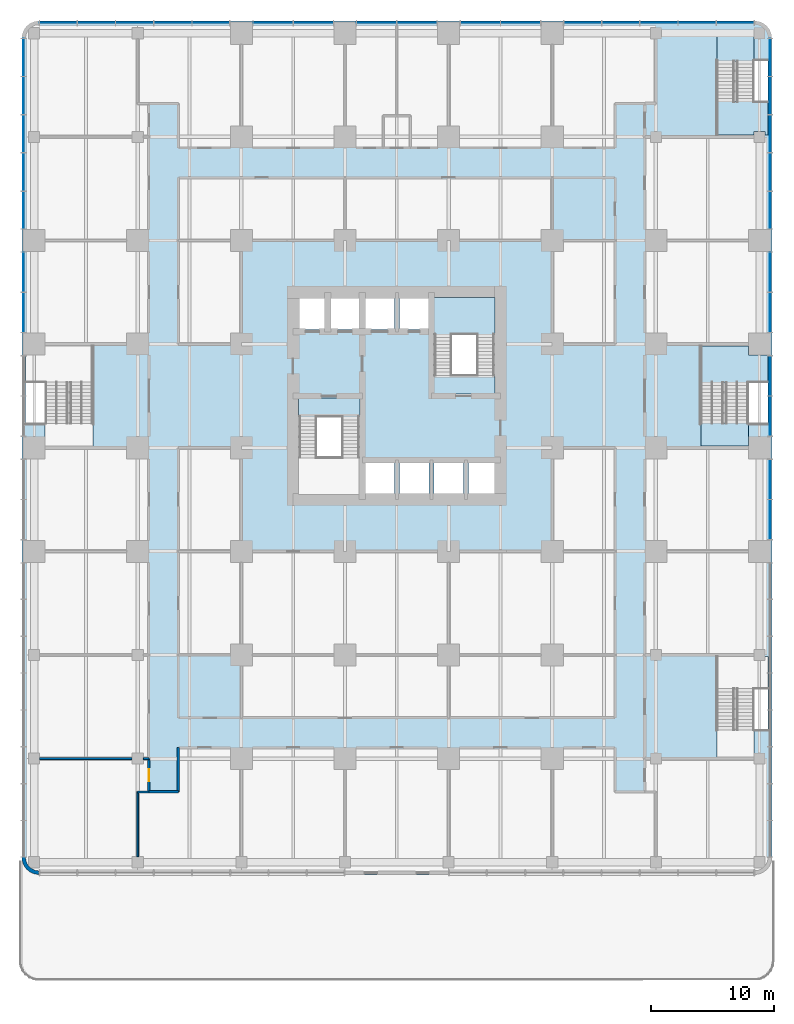
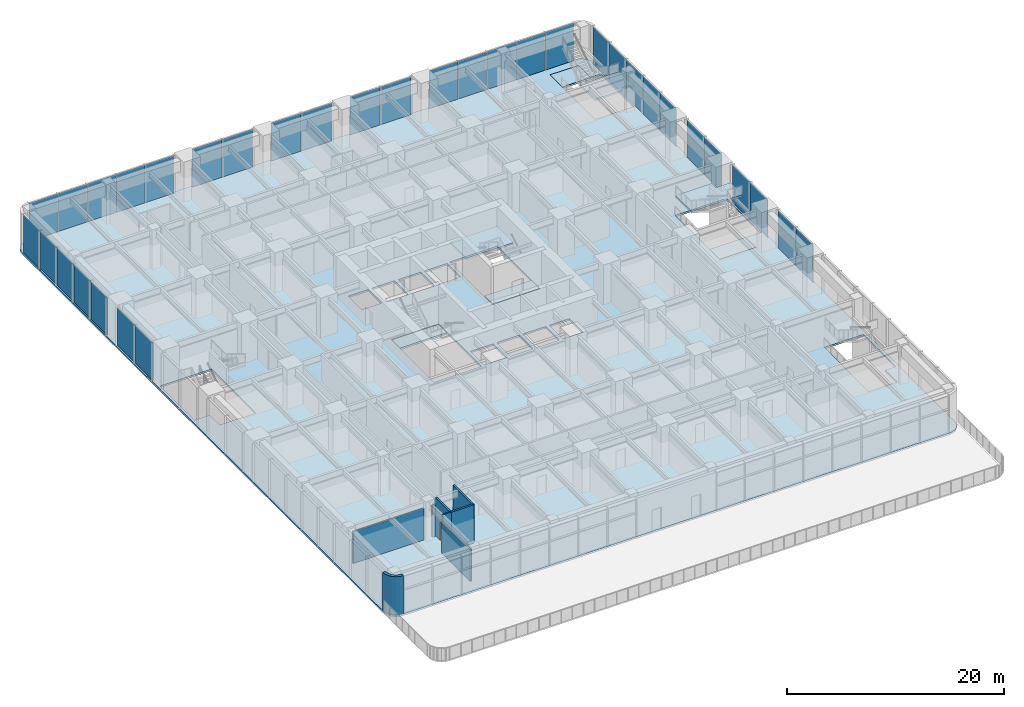
# One storey, part 10 of 20: 34 plates, 8 slabs, 8 walls, 1 door, 1 opening, 7 elements without a shape of their own.
"""IFC4 building model written with IfcOpenShell, lengths in metres."""

from ifc_helpers import new_model, si_unit, direction, frame, frame_2d, origin, origin_2d, place, context, subcontext, project, spatial, polyline, rectangle, outline, extrude, material, layer, layer_set, type_object, element, fill, aggregate, save


model = new_model("IFC4")

# Units and contexts
model_context = context("Model", 3, precision=1e-05, world=origin(), true_north=direction((0.0, 1.0)))
body_context = subcontext(model_context, "Body", "Model", "MODEL_VIEW")
ifc_project = project(units=[si_unit("LENGTHUNIT", "METRE"), si_unit("AREAUNIT", "SQUARE_METRE"), si_unit("VOLUMEUNIT", "CUBIC_METRE"), si_unit("PLANEANGLEUNIT", "RADIAN"), si_unit("MASSUNIT", "GRAM", prefix="KILO")], contexts=[model_context])

# Site, building, storey
site_placement = place(None, origin())
site = spatial("IfcSite", under=ifc_project, at=site_placement, CompositionType="ELEMENT")
building_placement = place(site_placement, origin())
building = spatial("IfcBuilding", under=site, at=building_placement, Name="Torre Alcanfor", CompositionType="ELEMENT")
storey_placement = place(building_placement, frame((0.0, 0.0, 10.5)))
storey = spatial("IfcBuildingStorey", under=building, at=storey_placement, Name="L02", CompositionType="ELEMENT", Elevation=10.5)

# Curtain wall, plates
ifc_material_1 = material(Name="Aluminium and glass", Category="aluminium")
curtain_wall_type = type_object("IfcCurtainWallType", Name="CW-B unitised classroom glazing with vertical FIN", PredefinedType="NOTDEFINED", material=ifc_material_1)
curtain_wall_1_placement = place(storey_placement, origin())
curtain_wall_1 = element("IfcCurtainWall", 1, at=curtain_wall_1_placement, inside=storey, type_object=curtain_wall_type, Name="Curtain wall CW-B L02 1", PredefinedType="NOTDEFINED")
ifc_material_2 = material(Name="Glass", Category="glass")
ifc_layer_1 = layer(ifc_material_2, 0.028076171875)
ifc_layer_set_1 = layer_set([ifc_layer_1], Name="CW-B clear double glazed unit")
plate_type = type_object("IfcPlateType", Name="CW-B clear double glazed unit", PredefinedType="CURTAIN_PANEL", material=ifc_layer_set_1)
plate_1_placement = place(storey_placement, frame((59.64990234375, 19.36865234375, 0.0), z_axis=(0.0, 0.0, 1.0), x_axis=(0.0, 1.0, 0.0)))
plate_1 = element("IfcPlate", 2, at=plate_1_placement, type_object=plate_type, Name="CW-B panel 2.1.1", PredefinedType="CURTAIN_PANEL", context=body_context, shape_type="SweptSolid", body=[
    extrude(rectangle(XDim=3.197509765625, YDim=0.028076171875, at=origin_2d()), origin(), (0.0, 0.0, 1.0), 4.235107421875),
])
plate_2_placement = place(storey_placement, frame((59.64990234375, 22.63134765625, 0.0), z_axis=(0.0, 0.0, 1.0), x_axis=(0.0, 1.0, 0.0)))
plate_2 = element("IfcPlate", 3, at=plate_2_placement, type_object=plate_type, Name="CW-B panel 2.2.1", PredefinedType="CURTAIN_PANEL", context=body_context, shape_type="SweptSolid", body=[
    extrude(rectangle(XDim=3.197509765625, YDim=0.028076171875, at=origin_2d()), origin(), (0.0, 0.0, 1.0), 4.235107421875),
])
plate_3_placement = place(storey_placement, frame((59.64990234375, 27.768798828125, 0.0), z_axis=(0.0, 0.0, 1.0), x_axis=(0.0, 1.0, 0.0)))
plate_3 = element("IfcPlate", 4, at=plate_3_placement, type_object=plate_type, Name="CW-B panel 3.1.1", PredefinedType="CURTAIN_PANEL", context=body_context, shape_type="SweptSolid", body=[
    extrude(rectangle(XDim=3.197509765625, YDim=0.028076171875, at=origin_2d()), origin(), (0.0, 0.0, 1.0), 4.235107421875),
])
plate_4_placement = place(storey_placement, frame((59.64990234375, 31.03125, 0.0), z_axis=(0.0, 0.0, 1.0), x_axis=(0.0, 1.0, 0.0)))
plate_4 = element("IfcPlate", 5, at=plate_4_placement, type_object=plate_type, Name="CW-B panel 3.2.1", PredefinedType="CURTAIN_PANEL", context=body_context, shape_type="SweptSolid", body=[
    extrude(rectangle(XDim=3.197509765625, YDim=0.028076171875, at=origin_2d()), origin(), (0.0, 0.0, 1.0), 4.235107421875),
])
plate_5_placement = place(storey_placement, frame((59.64990234375, 36.168701171875, 0.0), z_axis=(0.0, 0.0, 1.0), x_axis=(0.0, 1.0, 0.0)))
plate_5 = element("IfcPlate", 6, at=plate_5_placement, type_object=plate_type, Name="CW-B panel 4.1.1", PredefinedType="CURTAIN_PANEL", context=body_context, shape_type="SweptSolid", body=[
    extrude(rectangle(XDim=3.197509765625, YDim=0.028076171875, at=origin_2d()), origin(), (0.0, 0.0, 1.0), 4.235107421875),
])
plate_6_placement = place(storey_placement, frame((59.64990234375, 39.43115234375, 0.0), z_axis=(0.0, 0.0, 1.0), x_axis=(0.0, 1.0, 0.0)))
plate_6 = element("IfcPlate", 7, at=plate_6_placement, type_object=plate_type, Name="CW-B panel 4.2.1", PredefinedType="CURTAIN_PANEL", context=body_context, shape_type="SweptSolid", body=[
    extrude(rectangle(XDim=3.197509765625, YDim=0.028076171875, at=origin_2d()), origin(), (0.0, 0.0, 1.0), 4.235107421875),
])
plate_7_placement = place(storey_placement, frame((59.64990234375, 44.470703125, 0.0), z_axis=(0.0, 0.0, 1.0), x_axis=(0.0, 1.0, 0.0)))
plate_7 = element("IfcPlate", 8, at=plate_7_placement, type_object=plate_type, Name="CW-B panel 5.1.1", PredefinedType="CURTAIN_PANEL", context=body_context, shape_type="SweptSolid", body=[
    extrude(rectangle(XDim=3.00146484375, YDim=0.028076171875, at=origin_2d()), origin(), (0.0, 0.0, 1.0), 4.235107421875),
])
plate_8_placement = place(storey_placement, frame((59.64990234375, 47.553466796875, 0.0), z_axis=(0.0, 0.0, 1.0), x_axis=(0.0, 1.0, 0.0)))
plate_8 = element("IfcPlate", 9, at=plate_8_placement, type_object=plate_type, Name="CW-B panel 5.2.1", PredefinedType="CURTAIN_PANEL", context=body_context, shape_type="SweptSolid", body=[
    extrude(rectangle(XDim=3.033935546875, YDim=0.028076171875, at=origin_2d()), origin(), (0.0, 0.0, 1.0), 4.235107421875),
])
plate_9_placement = place(storey_placement, frame((59.64990234375, 50.652587890625, 0.0), z_axis=(0.0, 0.0, 1.0), x_axis=(0.0, 1.0, 0.0)))
plate_9 = element("IfcPlate", 10, at=plate_9_placement, type_object=plate_type, Name="CW-B panel 5.3.1", PredefinedType="CURTAIN_PANEL", context=body_context, shape_type="SweptSolid", body=[
    extrude(rectangle(XDim=3.033935546875, YDim=0.028076171875, at=origin_2d()), origin(), (0.0, 0.0, 1.0), 4.235107421875),
])
plate_10_placement = place(storey_placement, frame((59.64990234375, 53.75146484375, 0.0), z_axis=(0.0, 0.0, 1.0), x_axis=(0.0, 1.0, 0.0)))
plate_10 = element("IfcPlate", 11, at=plate_10_placement, type_object=plate_type, Name="CW-B panel 5.4.1", PredefinedType="CURTAIN_PANEL", context=body_context, shape_type="SweptSolid", body=[
    extrude(rectangle(XDim=3.033935546875, YDim=0.028076171875, at=origin_2d()), origin(), (0.0, 0.0, 1.0), 4.235107421875),
])
plate_11_placement = place(storey_placement, frame((59.64990234375, 56.834228515625, 0.0), z_axis=(0.0, 0.0, 1.0), x_axis=(0.0, 1.0, 0.0)))
plate_11 = element("IfcPlate", 12, at=plate_11_placement, type_object=plate_type, Name="CW-B panel 5.5.1", PredefinedType="CURTAIN_PANEL", context=body_context, shape_type="SweptSolid", body=[
    extrude(rectangle(XDim=3.00146484375, YDim=0.028076171875, at=origin_2d()), origin(), (0.0, 0.0, 1.0), 4.235107421875),
])
aggregate(curtain_wall_1, [plate_1, plate_2, plate_3, plate_4, plate_5, plate_6, plate_7, plate_8, plate_9, plate_10, plate_11])

curtain_wall_2_placement = place(storey_placement, origin())
curtain_wall_2 = element("IfcCurtainWall", 13, at=curtain_wall_2_placement, inside=storey, type_object=curtain_wall_type, Name="Curtain wall CW-B L02 2", PredefinedType="NOTDEFINED")
plate_12_placement = place(storey_placement, frame((56.834228515625, 59.64990234375, 0.0), z_axis=(0.0, 0.0, 1.0), x_axis=(-1.0, 0.0, 0.0)))
plate_12 = element("IfcPlate", 14, at=plate_12_placement, type_object=plate_type, Name="CW-B panel 1.1.1", PredefinedType="CURTAIN_PANEL", context=body_context, shape_type="SweptSolid", body=[
    extrude(rectangle(XDim=3.00146484375, YDim=0.028076171875, at=origin_2d()), origin(), (0.0, 0.0, 1.0), 4.235107421875),
])
plate_13_placement = place(storey_placement, frame((53.75146484375, 59.64990234375, 0.0), z_axis=(0.0, 0.0, 1.0), x_axis=(-1.0, 0.0, 0.0)))
plate_13 = element("IfcPlate", 15, at=plate_13_placement, type_object=plate_type, Name="CW-B panel 1.2.1", PredefinedType="CURTAIN_PANEL", context=body_context, shape_type="SweptSolid", body=[
    extrude(rectangle(XDim=3.033935546875, YDim=0.028076171875, at=origin_2d()), origin(), (0.0, 0.0, 1.0), 4.235107421875),
])
plate_14_placement = place(storey_placement, frame((50.652587890625, 59.64990234375, 0.0), z_axis=(0.0, 0.0, 1.0), x_axis=(-1.0, 0.0, 0.0)))
plate_14 = element("IfcPlate", 16, at=plate_14_placement, type_object=plate_type, Name="CW-B panel 1.3.1", PredefinedType="CURTAIN_PANEL", context=body_context, shape_type="SweptSolid", body=[
    extrude(rectangle(XDim=3.033935546875, YDim=0.028076171875, at=origin_2d()), origin(), (0.0, 0.0, 1.0), 4.235107421875),
])
plate_15_placement = place(storey_placement, frame((47.553466796875, 59.64990234375, 0.0), z_axis=(0.0, 0.0, 1.0), x_axis=(-1.0, 0.0, 0.0)))
plate_15 = element("IfcPlate", 17, at=plate_15_placement, type_object=plate_type, Name="CW-B panel 1.4.1", PredefinedType="CURTAIN_PANEL", context=body_context, shape_type="SweptSolid", body=[
    extrude(rectangle(XDim=3.033935546875, YDim=0.028076171875, at=origin_2d()), origin(), (0.0, 0.0, 1.0), 4.235107421875),
])
plate_16_placement = place(storey_placement, frame((44.470703125, 59.64990234375, 0.0), z_axis=(0.0, 0.0, 1.0), x_axis=(-1.0, 0.0, 0.0)))
plate_16 = element("IfcPlate", 18, at=plate_16_placement, type_object=plate_type, Name="CW-B panel 1.5.1", PredefinedType="CURTAIN_PANEL", context=body_context, shape_type="SweptSolid", body=[
    extrude(rectangle(XDim=3.00146484375, YDim=0.028076171875, at=origin_2d()), origin(), (0.0, 0.0, 1.0), 4.235107421875),
])
plate_17_placement = place(storey_placement, frame((39.43115234375, 59.64990234375, 0.0), z_axis=(0.0, 0.0, 1.0), x_axis=(-1.0, 0.0, 0.0)))
plate_17 = element("IfcPlate", 19, at=plate_17_placement, type_object=plate_type, Name="CW-B panel 2.1.1", PredefinedType="CURTAIN_PANEL", context=body_context, shape_type="SweptSolid", body=[
    extrude(rectangle(XDim=3.197509765625, YDim=0.028076171875, at=origin_2d()), origin(), (0.0, 0.0, 1.0), 4.235107421875),
])
plate_18_placement = place(storey_placement, frame((36.168701171875, 59.64990234375, 0.0), z_axis=(0.0, 0.0, 1.0), x_axis=(-1.0, 0.0, 0.0)))
plate_18 = element("IfcPlate", 20, at=plate_18_placement, type_object=plate_type, Name="CW-B panel 2.2.1", PredefinedType="CURTAIN_PANEL", context=body_context, shape_type="SweptSolid", body=[
    extrude(rectangle(XDim=3.197509765625, YDim=0.028076171875, at=origin_2d()), origin(), (0.0, 0.0, 1.0), 4.235107421875),
])
plate_19_placement = place(storey_placement, frame((31.03125, 59.64990234375, 0.0), z_axis=(0.0, 0.0, 1.0), x_axis=(-1.0, 0.0, 0.0)))
plate_19 = element("IfcPlate", 21, at=plate_19_placement, type_object=plate_type, Name="CW-B panel 3.1.1", PredefinedType="CURTAIN_PANEL", context=body_context, shape_type="SweptSolid", body=[
    extrude(rectangle(XDim=3.197509765625, YDim=0.028076171875, at=origin_2d()), origin(), (0.0, 0.0, 1.0), 4.235107421875),
])
plate_20_placement = place(storey_placement, frame((27.768798828125, 59.64990234375, 0.0), z_axis=(0.0, 0.0, 1.0), x_axis=(-1.0, 0.0, 0.0)))
plate_20 = element("IfcPlate", 22, at=plate_20_placement, type_object=plate_type, Name="CW-B panel 3.2.1", PredefinedType="CURTAIN_PANEL", context=body_context, shape_type="SweptSolid", body=[
    extrude(rectangle(XDim=3.197509765625, YDim=0.028076171875, at=origin_2d()), origin(), (0.0, 0.0, 1.0), 4.235107421875),
])
plate_21_placement = place(storey_placement, frame((22.63134765625, 59.64990234375, 0.0), z_axis=(0.0, 0.0, 1.0), x_axis=(-1.0, 0.0, 0.0)))
plate_21 = element("IfcPlate", 23, at=plate_21_placement, type_object=plate_type, Name="CW-B panel 4.1.1", PredefinedType="CURTAIN_PANEL", context=body_context, shape_type="SweptSolid", body=[
    extrude(rectangle(XDim=3.197509765625, YDim=0.028076171875, at=origin_2d()), origin(), (0.0, 0.0, 1.0), 4.235107421875),
])
plate_22_placement = place(storey_placement, frame((19.36865234375, 59.64990234375, 0.0), z_axis=(0.0, 0.0, 1.0), x_axis=(-1.0, 0.0, 0.0)))
plate_22 = element("IfcPlate", 24, at=plate_22_placement, type_object=plate_type, Name="CW-B panel 4.2.1", PredefinedType="CURTAIN_PANEL", context=body_context, shape_type="SweptSolid", body=[
    extrude(rectangle(XDim=3.197509765625, YDim=0.028076171875, at=origin_2d()), origin(), (0.0, 0.0, 1.0), 4.235107421875),
])
plate_23_placement = place(storey_placement, frame((14.329345703125, 59.64990234375, 0.0), z_axis=(0.0, 0.0, 1.0), x_axis=(-1.0, 0.0, 0.0)))
plate_23 = element("IfcPlate", 25, at=plate_23_placement, type_object=plate_type, Name="CW-B panel 5.1.1", PredefinedType="CURTAIN_PANEL", context=body_context, shape_type="SweptSolid", body=[
    extrude(rectangle(XDim=3.00146484375, YDim=0.028076171875, at=origin_2d()), origin(), (0.0, 0.0, 1.0), 4.235107421875),
])
plate_24_placement = place(storey_placement, frame((11.24658203125, 59.64990234375, 0.0), z_axis=(0.0, 0.0, 1.0), x_axis=(-1.0, 0.0, 0.0)))
plate_24 = element("IfcPlate", 26, at=plate_24_placement, type_object=plate_type, Name="CW-B panel 5.2.1", PredefinedType="CURTAIN_PANEL", context=body_context, shape_type="SweptSolid", body=[
    extrude(rectangle(XDim=3.033935546875, YDim=0.028076171875, at=origin_2d()), origin(), (0.0, 0.0, 1.0), 4.235107421875),
])
plate_25_placement = place(storey_placement, frame((8.1474609375, 59.64990234375, 0.0), z_axis=(0.0, 0.0, 1.0), x_axis=(-1.0, 0.0, 0.0)))
plate_25 = element("IfcPlate", 27, at=plate_25_placement, type_object=plate_type, Name="CW-B panel 5.3.1", PredefinedType="CURTAIN_PANEL", context=body_context, shape_type="SweptSolid", body=[
    extrude(rectangle(XDim=3.033935546875, YDim=0.028076171875, at=origin_2d()), origin(), (0.0, 0.0, 1.0), 4.235107421875),
])
plate_26_placement = place(storey_placement, frame((5.048583984375, 59.64990234375, 0.0), z_axis=(0.0, 0.0, 1.0), x_axis=(-1.0, 0.0, 0.0)))
plate_26 = element("IfcPlate", 28, at=plate_26_placement, type_object=plate_type, Name="CW-B panel 5.4.1", PredefinedType="CURTAIN_PANEL", context=body_context, shape_type="SweptSolid", body=[
    extrude(rectangle(XDim=3.033935546875, YDim=0.028076171875, at=origin_2d()), origin(), (0.0, 0.0, 1.0), 4.235107421875),
])
plate_27_placement = place(storey_placement, frame((1.9658203125, 59.64990234375, 0.0), z_axis=(0.0, 0.0, 1.0), x_axis=(-1.0, 0.0, 0.0)))
plate_27 = element("IfcPlate", 29, at=plate_27_placement, type_object=plate_type, Name="CW-B panel 5.5.1", PredefinedType="CURTAIN_PANEL", context=body_context, shape_type="SweptSolid", body=[
    extrude(rectangle(XDim=3.00146484375, YDim=0.028076171875, at=origin_2d()), origin(), (0.0, 0.0, 1.0), 4.235107421875),
])
aggregate(curtain_wall_2, [plate_12, plate_13, plate_14, plate_15, plate_16, plate_17, plate_18, plate_19, plate_20, plate_21, plate_22, plate_23, plate_24, plate_25, plate_26, plate_27])

curtain_wall_3_placement = place(storey_placement, origin())
curtain_wall_3 = element("IfcCurtainWall", 30, at=curtain_wall_3_placement, inside=storey, type_object=curtain_wall_type, Name="Curtain wall CW-B L02 3", PredefinedType="NOTDEFINED")
plate_28_placement = place(storey_placement, frame((-0.85009765625, 56.834228515625, 0.0), z_axis=(0.0, 0.0, 1.0), x_axis=(0.0, -1.0, 0.0)))
plate_28 = element("IfcPlate", 31, at=plate_28_placement, type_object=plate_type, Name="CW-B panel 1.1.1", PredefinedType="CURTAIN_PANEL", context=body_context, shape_type="SweptSolid", body=[
    extrude(rectangle(XDim=3.00146484375, YDim=0.028076171875, at=origin_2d()), origin(), (0.0, 0.0, 1.0), 4.235107421875),
])
plate_29_placement = place(storey_placement, frame((-0.85009765625, 53.75146484375, 0.0), z_axis=(0.0, 0.0, 1.0), x_axis=(0.0, -1.0, 0.0)))
plate_29 = element("IfcPlate", 32, at=plate_29_placement, type_object=plate_type, Name="CW-B panel 1.2.1", PredefinedType="CURTAIN_PANEL", context=body_context, shape_type="SweptSolid", body=[
    extrude(rectangle(XDim=3.033935546875, YDim=0.028076171875, at=origin_2d()), origin(), (0.0, 0.0, 1.0), 4.235107421875),
])
plate_30_placement = place(storey_placement, frame((-0.85009765625, 50.652587890625, 0.0), z_axis=(0.0, 0.0, 1.0), x_axis=(0.0, -1.0, 0.0)))
plate_30 = element("IfcPlate", 33, at=plate_30_placement, type_object=plate_type, Name="CW-B panel 1.3.1", PredefinedType="CURTAIN_PANEL", context=body_context, shape_type="SweptSolid", body=[
    extrude(rectangle(XDim=3.033935546875, YDim=0.028076171875, at=origin_2d()), origin(), (0.0, 0.0, 1.0), 4.235107421875),
])
plate_31_placement = place(storey_placement, frame((-0.85009765625, 47.553466796875, 0.0), z_axis=(0.0, 0.0, 1.0), x_axis=(0.0, -1.0, 0.0)))
plate_31 = element("IfcPlate", 34, at=plate_31_placement, type_object=plate_type, Name="CW-B panel 1.4.1", PredefinedType="CURTAIN_PANEL", context=body_context, shape_type="SweptSolid", body=[
    extrude(rectangle(XDim=3.033935546875, YDim=0.028076171875, at=origin_2d()), origin(), (0.0, 0.0, 1.0), 4.235107421875),
])
plate_32_placement = place(storey_placement, frame((-0.85009765625, 44.470703125, 0.0), z_axis=(0.0, 0.0, 1.0), x_axis=(0.0, -1.0, 0.0)))
plate_32 = element("IfcPlate", 35, at=plate_32_placement, type_object=plate_type, Name="CW-B panel 1.5.1", PredefinedType="CURTAIN_PANEL", context=body_context, shape_type="SweptSolid", body=[
    extrude(rectangle(XDim=3.00146484375, YDim=0.028076171875, at=origin_2d()), origin(), (0.0, 0.0, 1.0), 4.235107421875),
])
plate_33_placement = place(storey_placement, frame((-0.85009765625, 39.43115234375, 0.0), z_axis=(0.0, 0.0, 1.0), x_axis=(0.0, -1.0, 0.0)))
plate_33 = element("IfcPlate", 36, at=plate_33_placement, type_object=plate_type, Name="CW-B panel 2.1.1", PredefinedType="CURTAIN_PANEL", context=body_context, shape_type="SweptSolid", body=[
    extrude(rectangle(XDim=3.197509765625, YDim=0.028076171875, at=origin_2d()), origin(), (0.0, 0.0, 1.0), 4.235107421875),
])
plate_34_placement = place(storey_placement, frame((-0.85009765625, 36.168701171875, 0.0), z_axis=(0.0, 0.0, 1.0), x_axis=(0.0, -1.0, 0.0)))
plate_34 = element("IfcPlate", 37, at=plate_34_placement, type_object=plate_type, Name="CW-B panel 2.2.1", PredefinedType="CURTAIN_PANEL", context=body_context, shape_type="SweptSolid", body=[
    extrude(rectangle(XDim=3.197509765625, YDim=0.028076171875, at=origin_2d()), origin(), (0.0, 0.0, 1.0), 4.235107421875),
])
aggregate(curtain_wall_3, [plate_28, plate_29, plate_30, plate_31, plate_32, plate_33, plate_34])

# Slab
ifc_material_3 = material(Name="Concrete f'c 35 MPa", Category="concrete")
ifc_layer_2 = layer(ifc_material_3, 0.199951171875)
ifc_layer_set_2 = layer_set([ifc_layer_2], Name="Floor slab 200")
slab_type_1 = type_object("IfcSlabType", Name="Floor slab 200", PredefinedType="FLOOR", material=ifc_layer_set_2)
slab_1_placement = place(storey_placement, frame((0.0, 0.0, -0.199951171875)))
element("IfcSlab", 38, at=slab_1_placement, inside=storey, type_object=slab_type_1, Name="Floor slab L02", PredefinedType="FLOOR", context=body_context, shape_type="SweptSolid", body=[
    extrude(outline(polyline([(58.39990234375, -9.39990234375), (58.76220703125, -9.352294921875), (59.10009765625, -9.21240234375), (59.389892578125, -8.989990234375), (59.6123046875, -8.699951171875), (59.752197265625, -8.3623046875), (59.800048828125, -8.0), (59.800048828125, 58.39990234375), (59.752197265625, 58.76220703125), (59.6123046875, 59.10009765625), (59.389892578125, 59.389892578125), (59.10009765625, 59.6123046875), (58.76220703125, 59.752197265625), (58.39990234375, 59.800048828125), (0.39990234375, 59.800048828125), (0.03759765625, 59.752197265625), (-0.300048828125, 59.6123046875), (-0.58984375, 59.389892578125), (-0.8125, 59.10009765625), (-0.952392578125, 58.76220703125), (-1.0, 58.39990234375), (-1.0, -8.0), (-0.952392578125, -8.3623046875), (-0.8125, -8.699951171875), (-0.58984375, -8.989990234375), (-0.300048828125, -9.21240234375), (0.03759765625, -9.352294921875), (0.39990234375, -9.39990234375), (58.39990234375, -9.39990234375)]), holes=[polyline([(21.419921875, 21.419921875), (26.47998046875, 21.419921875), (26.47998046875, 29.280029296875), (21.419921875, 29.280029296875), (21.419921875, 21.419921875)]), polyline([(32.320068359375, 29.52001953125), (37.3798828125, 29.52001953125), (37.3798828125, 37.3798828125), (32.320068359375, 37.3798828125), (32.320068359375, 29.52001953125)]), polyline([(26.800048828125, 21.5), (29.199951171875, 21.5), (29.199951171875, 24.0), (26.800048828125, 24.0), (26.800048828125, 21.5)]), polyline([(29.60009765625, 21.5), (32.0, 21.5), (32.0, 24.0), (29.60009765625, 24.0), (29.60009765625, 21.5)]), polyline([(32.39990234375, 21.5), (34.800048828125, 21.5), (34.800048828125, 24.0), (32.39990234375, 24.0), (32.39990234375, 21.5)]), polyline([(35.199951171875, 21.5), (37.300048828125, 21.5), (37.300048828125, 24.0), (35.199951171875, 24.0), (35.199951171875, 21.5)]), polyline([(21.5, 34.800048828125), (23.60009765625, 34.800048828125), (23.60009765625, 37.300048828125), (21.5, 37.300048828125), (21.5, 34.800048828125)]), polyline([(24.0, 34.800048828125), (26.39990234375, 34.800048828125), (26.39990234375, 37.300048828125), (24.0, 37.300048828125), (24.0, 34.800048828125)]), polyline([(26.800048828125, 34.800048828125), (29.199951171875, 34.800048828125), (29.199951171875, 37.300048828125), (26.800048828125, 37.300048828125), (26.800048828125, 34.800048828125)]), polyline([(29.60009765625, 34.800048828125), (32.0, 34.800048828125), (32.0, 37.300048828125), (29.60009765625, 37.300048828125), (29.60009765625, 34.800048828125)]), polyline([(4.760009765625, 25.324951171875), (0.89990234375, 25.324951171875), (0.89990234375, 27.155029296875), (-0.699951171875, 27.155029296875), (-0.699951171875, 33.47509765625), (4.760009765625, 33.47509765625), (4.760009765625, 25.324951171875)]), polyline([(57.89990234375, 25.324951171875), (54.0400390625, 25.324951171875), (54.0400390625, 33.47509765625), (59.5, 33.47509765625), (59.5, 27.155029296875), (57.89990234375, 27.155029296875), (57.89990234375, 25.324951171875)]), polyline([(58.35009765625, 0.125), (55.35009765625, 0.125), (55.35009765625, 8.27490234375), (59.5, 8.27490234375), (59.5, 2.324951171875), (58.35009765625, 2.324951171875), (58.35009765625, 0.125)]), polyline([(59.5, 56.574951171875), (59.5, 50.52490234375), (55.35009765625, 50.52490234375), (55.35009765625, 58.77490234375), (58.35009765625, 58.77490234375), (58.35009765625, 56.574951171875), (59.5, 56.574951171875)])]), origin(), (0.0, 0.0, 1.0), 0.199951171875),
])

# Stair, slab
ifc_material_4 = material(Name="Concrete f'c 35 MPa", Category="concrete")
stair_type_1 = type_object("IfcStairType", Name="Exit stair S1 1400 wide", PredefinedType="HALF_TURN_STAIR", material=ifc_material_4)
stair_1_placement = place(storey_placement, origin())
stair_1 = element("IfcStair", 39, at=stair_1_placement, inside=storey, type_object=stair_type_1, Name="Stair S1 L02 to L03", PredefinedType="HALF_TURN_STAIR")
ifc_material_5 = material(Name="Concrete f'c 35 MPa", Category="concrete")
ifc_layer_3 = layer(ifc_material_5, 0.199951171875)
ifc_layer_set_3 = layer_set([ifc_layer_3], Name="Stair landing 200")
slab_type_2 = type_object("IfcSlabType", Name="Stair landing 200", PredefinedType="LANDING", material=ifc_layer_set_3)
slab_2_placement = place(storey_placement, frame((0.0, 0.0, -0.199951171875)))
slab_2 = element("IfcSlab", 40, at=slab_2_placement, type_object=slab_type_2, Name="S1 landing 1", PredefinedType="LANDING", context=body_context, shape_type="SweptSolid", body=[
    extrude(outline(polyline([(21.419921875, 27.699951171875), (26.429931640625, 27.699951171875), (26.429931640625, 29.22998046875), (21.419921875, 29.22998046875), (21.419921875, 27.699951171875)])), origin(), (0.0, 0.0, 1.0), 0.199951171875),
])
aggregate(stair_1, [slab_2])

# Stair, slabs
ifc_material_6 = material(Name="Concrete f'c 35 MPa", Category="concrete")
stair_type_2 = type_object("IfcStairType", Name="Exit stair S2 1400 wide", PredefinedType="HALF_TURN_STAIR", material=ifc_material_6)
stair_2_placement = place(storey_placement, origin())
stair_2 = element("IfcStair", 41, at=stair_2_placement, inside=storey, type_object=stair_type_2, Name="Stair S2 L02 to L03", PredefinedType="HALF_TURN_STAIR")
slab_3_placement = place(storey_placement, frame((0.0, 0.0, -0.199951171875)))
slab_3 = element("IfcSlab", 42, at=slab_3_placement, type_object=slab_type_2, Name="S2 landing 1", PredefinedType="LANDING", context=body_context, shape_type="SweptSolid", body=[
    extrude(outline(polyline([(32.3701171875, 29.570068359375), (37.3798828125, 29.570068359375), (37.3798828125, 31.10009765625), (32.3701171875, 31.10009765625), (32.3701171875, 29.570068359375)])), origin(), (0.0, 0.0, 1.0), 0.199951171875),
])
slab_4_placement = place(storey_placement, frame((0.0, 0.0, 2.050048828125)))
slab_4 = element("IfcSlab", 43, at=slab_4_placement, type_object=slab_type_2, Name="S2 landing 2", PredefinedType="LANDING", context=body_context, shape_type="SweptSolid", body=[
    extrude(outline(polyline([(32.3701171875, 34.360107421875), (37.3798828125, 34.360107421875), (37.3798828125, 37.3798828125), (32.3701171875, 37.3798828125), (32.3701171875, 34.360107421875)])), origin(), (0.0, 0.0, 1.0), 0.199951171875),
])
aggregate(stair_2, [slab_3, slab_4])

ifc_material_7 = material(Name="Concrete f'c 35 MPa", Category="concrete")
stair_type_3 = type_object("IfcStairType", Name="Exit stair SS2 1830 wide", PredefinedType="HALF_TURN_STAIR", material=ifc_material_7)
stair_3_placement = place(storey_placement, origin())
stair_3 = element("IfcStair", 44, at=stair_3_placement, inside=storey, type_object=stair_type_3, Name="Stair SS2 L02 to L03", PredefinedType="HALF_TURN_STAIR")
slab_5_placement = place(storey_placement, frame((0.0, 0.0, -0.199951171875)))
slab_5 = element("IfcSlab", 45, at=slab_5_placement, type_object=slab_type_2, Name="SS2 landing 1", PredefinedType="LANDING", context=body_context, shape_type="SweptSolid", body=[
    extrude(outline(polyline([(54.0400390625, 25.324951171875), (54.0400390625, 27.205078125), (57.89990234375, 27.205078125), (57.89990234375, 26.10009765625), (57.89990234375, 25.324951171875), (54.0400390625, 25.324951171875)])), origin(), (0.0, 0.0, 1.0), 0.199951171875),
])
slab_6_placement = place(storey_placement, frame((0.0, 0.0, 2.050048828125)))
slab_6 = element("IfcSlab", 46, at=slab_6_placement, type_object=slab_type_2, Name="SS2 landing 2", PredefinedType="LANDING", context=body_context, shape_type="SweptSolid", body=[
    extrude(outline(polyline([(59.5, 30.465087890625), (54.0400390625, 30.465087890625), (54.0400390625, 33.465087890625), (57.89990234375, 33.465087890625), (57.89990234375, 32.699951171875), (59.5, 32.699951171875), (59.5, 30.465087890625)])), origin(), (0.0, 0.0, 1.0), 0.199951171875),
])
aggregate(stair_3, [slab_5, slab_6])

ifc_material_8 = material(Name="Concrete f'c 35 MPa", Category="concrete")
stair_type_4 = type_object("IfcStairType", Name="Exit stair SS4 1400 wide", PredefinedType="HALF_TURN_STAIR", material=ifc_material_8)
stair_4_placement = place(storey_placement, origin())
stair_4 = element("IfcStair", 47, at=stair_4_placement, inside=storey, type_object=stair_type_4, Name="Stair SS4 L02 to L03", PredefinedType="HALF_TURN_STAIR")
slab_7_placement = place(storey_placement, frame((0.0, 0.0, -0.199951171875)))
slab_7 = element("IfcSlab", 48, at=slab_7_placement, type_object=slab_type_2, Name="SS4 landing 1", PredefinedType="LANDING", context=body_context, shape_type="SweptSolid", body=[
    extrude(outline(polyline([(55.35009765625, 58.77490234375), (58.35009765625, 58.77490234375), (58.35009765625, 58.35009765625), (58.35009765625, 58.35009765625), (58.35009765625, 56.52490234375), (55.35009765625, 56.52490234375), (55.35009765625, 58.77490234375)])), origin(), (0.0, 0.0, 1.0), 0.199951171875),
])
slab_8_placement = place(storey_placement, frame((0.0, 0.0, 2.050048828125)))
slab_8 = element("IfcSlab", 49, at=slab_8_placement, type_object=slab_type_2, Name="SS4 landing 2", PredefinedType="LANDING", context=body_context, shape_type="SweptSolid", body=[
    extrude(outline(polyline([(55.35009765625, 50.5400390625), (55.35009765625, 53.264892578125), (59.5, 53.264892578125), (59.5, 50.5400390625), (59.25, 50.5400390625), (59.25, 50.85009765625), (58.35009765625, 50.85009765625), (58.35009765625, 50.5400390625), (55.35009765625, 50.5400390625)])), origin(), (0.0, 0.0, 1.0), 0.199951171875),
])
aggregate(stair_4, [slab_7, slab_8])

# Walls
ifc_material_9 = material(Name="Concrete block masonry, hollow blocks NMX-C-404 9 MPa", Category="masonry")
ifc_layer_4 = layer(ifc_material_9, 0.14990234375)
ifc_layer_set_4 = layer_set([ifc_layer_4], Name="Classroom partition 150")
wall_type_1 = type_object("IfcWallType", Name="Classroom partition 150", PredefinedType="PARTITIONING", material=ifc_layer_set_4)
wall_1_placement = place(storey_placement, frame((8.39990234375, -7.949951171875, 0.0), z_axis=(0.0, 0.0, 1.0), x_axis=(0.0, 1.0, 0.0)))
element("IfcWall", 50, at=wall_1_placement, inside=storey, type_object=wall_type_1, Name="Partition L02-01 / L02-03", PredefinedType="PARTITIONING", context=body_context, shape_type="SweptSolid", body=[
    extrude(rectangle(XDim=5.25, YDim=0.14990234375, at=frame_2d((2.625, 0.0))), origin(), (0.0, 0.0, 1.0), 3.543212890625),
])
wall_2_placement = place(storey_placement, frame((8.39990234375, -2.699951171875, 0.0), z_axis=(0.0, 0.0, 1.0), x_axis=(1.0, 0.0, 0.0)))
element("IfcWall", 51, at=wall_2_placement, inside=storey, type_object=wall_type_1, Name="Partition L02-01 / L02-03", PredefinedType="PARTITIONING", context=body_context, shape_type="SweptSolid", body=[
    extrude(rectangle(XDim=0.900146484375, YDim=0.14990234375, at=frame_2d((0.4501953125, 0.0))), origin(), (0.0, 0.0, 1.0), 4.300048828125),
])
wall_3_placement = place(storey_placement, frame((0.449951171875, 0.0, 0.0), z_axis=(0.0, 0.0, 1.0), x_axis=(1.0, 0.0, 0.0)))
element("IfcWall", 52, at=wall_3_placement, inside=storey, type_object=wall_type_1, Name="Partition L02-03 / L02-08", PredefinedType="PARTITIONING", context=body_context, shape_type="SweptSolid", body=[
    extrude(rectangle(XDim=7.5, YDim=0.14990234375, at=frame_2d((3.75, 0.0))), origin(), (0.0, 0.0, 1.0), 3.543212890625),
])
wall_4_placement = place(storey_placement, frame((8.85009765625, 0.0, 0.0), z_axis=(0.0, 0.0, 1.0), x_axis=(1.0, 0.0, 0.0)))
element("IfcWall", 53, at=wall_4_placement, inside=storey, type_object=wall_type_1, Name="Partition L02-03 / L02-08", PredefinedType="PARTITIONING", context=body_context, shape_type="SweptSolid", body=[
    extrude(rectangle(XDim=0.449951171875, YDim=0.14990234375, at=frame_2d((0.22509765625, 0.0))), origin(), (0.0, 0.0, 1.0), 3.543212890625),
])
ifc_material_10 = material(Name="Limestone cladding", Category="masonry")
ifc_layer_5 = layer(ifc_material_10, 0.0400390625, Name="Facing")
ifc_material_11 = material(Name="Ventilated air cavity")
ifc_layer_6 = layer(ifc_material_11, 0.02001953125, ventilated=True, Name="Ventilated joint")
ifc_material_12 = material(Name="Mineral wool insulation", Category="insulation")
ifc_layer_7 = layer(ifc_material_12, 0.10009765625, Name="Insulation")
ifc_material_13 = material(Name="Concrete f'c 35 MPa", Category="concrete")
ifc_layer_8 = layer(ifc_material_13, 0.139892578125, Name="Backing")
ifc_layer_set_5 = layer_set([ifc_layer_5, ifc_layer_6, ifc_layer_7, ifc_layer_8], Name="Rounded corner pier stone-clad 300")
wall_type_2 = type_object("IfcWallType", Name="Rounded corner pier stone-clad 300", PredefinedType="SOLIDWALL", material=ifc_layer_set_5)
wall_5_placement = place(storey_placement, frame((-0.847901787, -7.955188981, 0.0), z_axis=(0.0, 0.0, 1.0), x_axis=(-0.707106781187, -0.707106781187, 0.0)))
element("IfcWall", 54, at=wall_5_placement, inside=storey, type_object=wall_type_2, Name="Corner pier L02 7", PredefinedType="SOLIDWALL", context=body_context, shape_type="SweptSolid", body=[
    extrude(outline(polyline([(0.13923585322543497, 1.903897378117256), (-0.10072469996042954, 1.719870076177593), (-0.08674138714887913, 1.7058867633660426), (0.09970278367179264, 1.462818807333167), (0.2093250507746876, 1.1981716648627134), (0.24661388493882203, 0.9140169378526897), (0.209152417283187, 0.6300348443341665), (0.09953015018029207, 0.36538770186371305), (-0.08691402064037966, 0.12231974583083728), (-0.10089733345193004, 0.1083364330192869), (0.13923585322543514, -0.07586350241187674), (0.3617604237697368, 0.21398812981766757), (0.5015935518852406, 0.5516592391928841), (0.5492403955394123, 0.9141895713441903), (0.5015935518852407, 1.2763746365124953), (0.3617604237697368, 1.6140457458877115), (0.13923585322543497, 1.903897378117256)])), origin(), (0.0, 0.0, 1.0), 4.300048828125),
])
ifc_material_14 = material(Name="Concrete block masonry, hollow blocks NMX-C-404 9 MPa", Category="masonry")
ifc_layer_9 = layer(ifc_material_14, 0.199951171875)
ifc_layer_set_6 = layer_set([ifc_layer_9], Name="School corridor wall 200")
wall_type_3 = type_object("IfcWallType", Name="School corridor wall 200", PredefinedType="PARTITIONING", material=ifc_layer_set_6)
wall_6_placement = place(storey_placement, frame((9.300048828125, -2.699951171875, 0.0), z_axis=(0.0, 0.0, 1.0), x_axis=(1.0, 0.0, 0.0)))
element("IfcWall", 55, at=wall_6_placement, inside=storey, type_object=wall_type_3, Name="Partition L02-01 / L02-CORR", PredefinedType="PARTITIONING", context=body_context, shape_type="SweptSolid", body=[
    extrude(rectangle(XDim=2.39990234375, YDim=0.199951171875, at=frame_2d((1.199951171875, 0.0))), origin(), (0.0, 0.0, 1.0), 4.300048828125),
])
wall_7_placement = place(storey_placement, frame((11.699951171875, -2.699951171875, 0.0), z_axis=(0.0, 0.0, 1.0), x_axis=(0.0, 1.0, 0.0)))
element("IfcWall", 56, at=wall_7_placement, inside=storey, type_object=wall_type_3, Name="Partition L02-01 / L02-CORR", PredefinedType="PARTITIONING", context=body_context, shape_type="SweptSolid", body=[
    extrude(rectangle(XDim=3.599853515625, YDim=0.199951171875, at=frame_2d((1.7998046875, 0.0))), origin(), (0.0, 0.0, 1.0), 4.300048828125),
])

# Wall, opening, door
wall_8_placement = place(storey_placement, frame((9.300048828125, 0.0, 0.0), z_axis=(0.0, 0.0, 1.0), x_axis=(0.0, -1.0, 0.0)))
wall_8 = element("IfcWall", 57, at=wall_8_placement, inside=storey, type_object=wall_type_3, Name="Partition L02-03 / L02-CORR", PredefinedType="PARTITIONING", context=body_context, shape_type="SweptSolid", body=[
    extrude(rectangle(XDim=2.699951171875, YDim=0.199951171875, at=frame_2d((1.35009765625, 0.0))), origin(), (0.0, 0.0, 1.0), 4.300048828125),
])
opening_placement = place(wall_8_placement, frame((0.85009765625, 0.0, 0.0)))
opening = element("IfcOpeningElement", 58, at=opening_placement, cuts=wall_8, Name="Opening D-C1", PredefinedType="OPENING", context=body_context, shape_type="SweptSolid", body=[
    extrude(rectangle(XDim=1.0, YDim=2.10009765625, at=frame_2d((0.5, 1.050048828125))), frame((0.0, 0.10986328125, 0.0), z_axis=(0.0, -1.0, 0.0), x_axis=(1.0, 0.0, 0.0)), (0.0, 0.0, 1.0), 0.219970703125),
])
ifc_material_15 = material(Name="Timber", Category="wood")
door_type = type_object("IfcDoorType", Name="Classroom door 1000x2100", OperationType="SINGLE_SWING_RIGHT", PredefinedType="DOOR", material=ifc_material_15)
door_placement = place(opening_placement, frame((1.0, 0.0, 0.0), z_axis=(0.0, 0.0, 1.0), x_axis=(-1.0, 0.0, 0.0)))
door = element("IfcDoor", 59, at=door_placement, inside=storey, type_object=door_type, Name="Door L02-03 classroom", OperationType="SINGLE_SWING_RIGHT", OverallHeight=2.10009765625, OverallWidth=1.0, PredefinedType="DOOR", context=body_context, shape_type="SweptSolid", body=[
    extrude(rectangle(XDim=1.0, YDim=2.10009765625, at=frame_2d((0.5, 1.050048828125))), frame((0.0, 0.025146484375, 0.0), z_axis=(0.0, -1.0, 0.0), x_axis=(1.0, 0.0, 0.0)), (0.0, 0.0, 1.0), 0.050048828125),
])
fill(opening, door)

save(model, "model.ifc")
